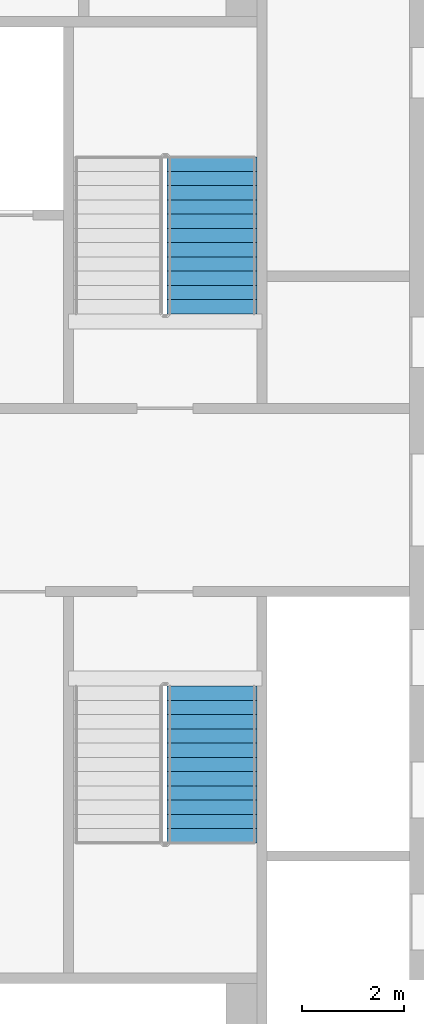
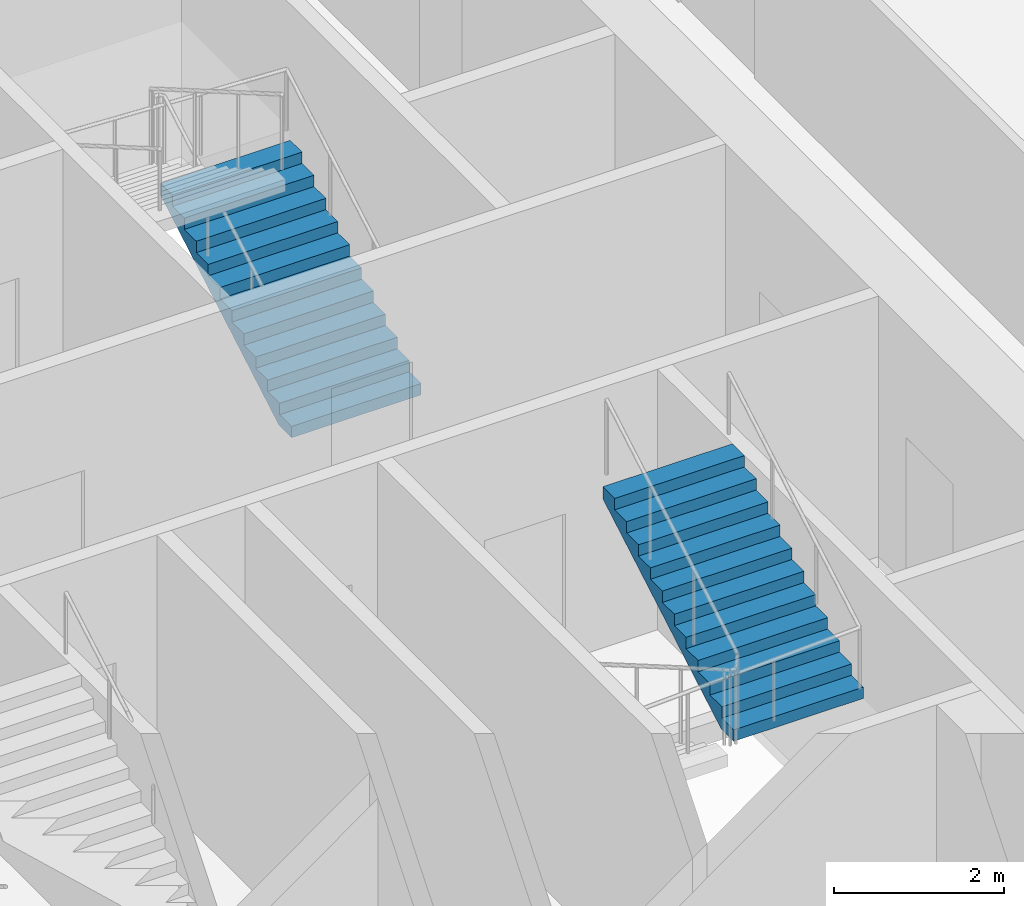
# One storey, part 17 of 22: 2 stair flights, 2 elements without a shape of their own.
"""IFC4 building model written with IfcOpenShell, lengths in metres."""

from ifc_helpers import new_model, si_unit, direction, frame, origin, place, context, subcontext, project, spatial, faceted_brep, material, type_object, element, aggregate, save


model = new_model("IFC4")

# Units and contexts
model_context = context("Model", 3, precision=1e-05, world=origin(), true_north=direction((0.0, 1.0)))
body_context = subcontext(model_context, "Body", "Model", "MODEL_VIEW")
ifc_project = project(units=[si_unit("LENGTHUNIT", "METRE"), si_unit("AREAUNIT", "SQUARE_METRE"), si_unit("VOLUMEUNIT", "CUBIC_METRE"), si_unit("PLANEANGLEUNIT", "RADIAN"), si_unit("MASSUNIT", "GRAM", prefix="KILO")], contexts=[model_context])

# Site, building, storey
site_placement = place(None, origin())
site = spatial("IfcSite", under=ifc_project, at=site_placement, CompositionType="ELEMENT")
building_placement = place(site_placement, origin())
building = spatial("IfcBuilding", under=site, at=building_placement, Name="Tarsis Ring Headquarters", CompositionType="ELEMENT")
storey_placement = place(building_placement, frame((0.0, 0.0, 147.60009765625)))
storey = spatial("IfcBuildingStorey", under=building, at=storey_placement, Name="L33", CompositionType="ELEMENT", Elevation=147.60009765625)

# Stair, stair flight
ifc_material_1 = material(Name="Core stair 1760")
stair_type = type_object("IfcStairType", Name="Core stair 1760", PredefinedType="HALF_TURN_STAIR", material=ifc_material_1)
stair_1_placement = place(storey_placement, origin())
stair_1 = element("IfcStair", 1, at=stair_1_placement, inside=storey, type_object=stair_type, Name="L33 Exit stair B", PredefinedType="HALF_TURN_STAIR")
ifc_material_2 = material(Name="Concrete C40/50", Category="concrete")
stair_flight_type = type_object("IfcStairFlightType", Name="Core stair flight 1760", PredefinedType="STRAIGHT", material=ifc_material_2)
stair_flight_1_placement = place(storey_placement, frame((5.419921875, 3.659912109375, 0.0), z_axis=(0.0, 0.0, 1.0), x_axis=(0.0, 1.0, 0.0)))
stair_flight_1 = element("IfcStairFlight", 2, at=stair_flight_1_placement, type_object=stair_flight_type, Name="Stair ST2 flight 1", NumberOfRisers=12, NumberOfTreads=11, PredefinedType="STRAIGHT", RiserHeight=0.1625, TreadLength=0.28, context=body_context, shape_type="Brep", body=[
    faceted_brep([(0.0, 0.8798828125, 0.0), (0.0, 0.8798828125, 0.16259765625), (0.280029296875, 0.8798828125, 0.16259765625), (0.280029296875, 0.8798828125, 0.324951171875), (0.56005859375, 0.8798828125, 0.324951171875), (0.56005859375, 0.8798828125, 0.487548828125), (0.840087890625, 0.8798828125, 0.487548828125), (0.840087890625, 0.8798828125, 0.64990234375), (1.1201171875, 0.8798828125, 0.64990234375), (1.1201171875, 0.8798828125, 0.8125), (1.39990234375, 0.8798828125, 0.8125), (1.39990234375, 0.8798828125, 0.97509765625), (1.679931640625, 0.8798828125, 0.97509765625), (1.679931640625, 0.8798828125, 1.137451171875), (1.9599609375, 0.8798828125, 1.137451171875), (1.9599609375, 0.8798828125, 1.300048828125), (2.239990234375, 0.8798828125, 1.300048828125), (2.239990234375, 0.8798828125, 1.46240234375), (2.52001953125, 0.8798828125, 1.46240234375), (2.52001953125, 0.8798828125, 1.625), (2.800048828125, 0.8798828125, 1.625), (2.800048828125, 0.8798828125, 1.78759765625), (3.080078125, 0.8798828125, 1.78759765625), (3.080078125, 0.8798828125, 1.6142578125), (0.298583984375, 0.8798828125, 0.0), (0.298583984375, -0.8798828125, 0.0), (3.080078125, -0.8798828125, 1.6142578125), (3.080078125, -0.8798828125, 1.78759765625), (2.800048828125, -0.8798828125, 1.78759765625), (2.800048828125, -0.8798828125, 1.625), (2.52001953125, -0.8798828125, 1.625), (2.52001953125, -0.8798828125, 1.46240234375), (2.239990234375, -0.8798828125, 1.46240234375), (2.239990234375, -0.8798828125, 1.300048828125), (1.9599609375, -0.8798828125, 1.300048828125), (1.9599609375, -0.8798828125, 1.137451171875), (1.679931640625, -0.8798828125, 1.137451171875), (1.679931640625, -0.8798828125, 0.97509765625), (1.39990234375, -0.8798828125, 0.97509765625), (1.39990234375, -0.8798828125, 0.8125), (1.1201171875, -0.8798828125, 0.8125), (1.1201171875, -0.8798828125, 0.64990234375), (0.840087890625, -0.8798828125, 0.64990234375), (0.840087890625, -0.8798828125, 0.487548828125), (0.56005859375, -0.8798828125, 0.487548828125), (0.56005859375, -0.8798828125, 0.324951171875), (0.280029296875, -0.8798828125, 0.324951171875), (0.280029296875, -0.8798828125, 0.16259765625), (0.0, -0.8798828125, 0.16259765625), (0.0, -0.8798828125, 0.0), (0.0, -0.43994140625, 0.16259765625), (0.0, -0.43994140625, 0.0), (0.0, 0.0, 0.16259765625), (0.0, 0.0, 0.0), (0.0, 0.43994140625, 0.16259765625), (0.0, 0.43994140625, 0.0), (0.280029296875, -0.43994140625, 0.16259765625), (0.280029296875, 0.0, 0.16259765625), (0.280029296875, 0.43994140625, 0.16259765625), (0.280029296875, -0.43994140625, 0.324951171875), (0.280029296875, 0.0, 0.324951171875), (0.280029296875, 0.43994140625, 0.324951171875), (0.56005859375, -0.43994140625, 0.324951171875), (0.56005859375, 0.0, 0.324951171875), (0.56005859375, 0.43994140625, 0.324951171875), (0.56005859375, -0.43994140625, 0.487548828125), (0.56005859375, 0.0, 0.487548828125), (0.56005859375, 0.43994140625, 0.487548828125), (0.840087890625, -0.43994140625, 0.487548828125), (0.840087890625, 0.0, 0.487548828125), (0.840087890625, 0.43994140625, 0.487548828125), (0.840087890625, -0.43994140625, 0.64990234375), (0.840087890625, 0.0, 0.64990234375), (0.840087890625, 0.43994140625, 0.64990234375), (1.1201171875, -0.43994140625, 0.64990234375), (1.1201171875, 0.0, 0.64990234375), (1.1201171875, 0.43994140625, 0.64990234375), (1.1201171875, -0.43994140625, 0.8125), (1.1201171875, 0.0, 0.8125), (1.1201171875, 0.43994140625, 0.8125), (1.39990234375, -0.43994140625, 0.8125), (1.39990234375, 0.0, 0.8125), (1.39990234375, 0.43994140625, 0.8125), (1.39990234375, -0.43994140625, 0.97509765625), (1.39990234375, 0.0, 0.97509765625), (1.39990234375, 0.43994140625, 0.97509765625), (1.679931640625, -0.43994140625, 0.97509765625), (1.679931640625, 0.0, 0.97509765625), (1.679931640625, 0.43994140625, 0.97509765625), (1.679931640625, -0.43994140625, 1.137451171875), (1.679931640625, 0.0, 1.137451171875), (1.679931640625, 0.43994140625, 1.137451171875), (1.9599609375, -0.43994140625, 1.137451171875), (1.9599609375, 0.0, 1.137451171875), (1.9599609375, 0.43994140625, 1.137451171875), (1.9599609375, -0.43994140625, 1.300048828125), (1.9599609375, 0.0, 1.300048828125), (1.9599609375, 0.43994140625, 1.300048828125), (2.239990234375, -0.43994140625, 1.300048828125), (2.239990234375, 0.0, 1.300048828125), (2.239990234375, 0.43994140625, 1.300048828125), (2.239990234375, -0.43994140625, 1.46240234375), (2.239990234375, 0.0, 1.46240234375), (2.239990234375, 0.43994140625, 1.46240234375), (2.52001953125, -0.43994140625, 1.46240234375), (2.52001953125, 0.0, 1.46240234375), (2.52001953125, 0.43994140625, 1.46240234375), (2.52001953125, -0.43994140625, 1.625), (2.52001953125, 0.0, 1.625), (2.52001953125, 0.43994140625, 1.625), (2.800048828125, -0.43994140625, 1.625), (2.800048828125, 0.0, 1.625), (2.800048828125, 0.43994140625, 1.625), (2.800048828125, -0.43994140625, 1.78759765625), (2.800048828125, 0.0, 1.78759765625), (2.800048828125, 0.43994140625, 1.78759765625), (3.080078125, -0.43994140625, 1.78759765625), (3.080078125, 0.0, 1.78759765625), (3.080078125, 0.43994140625, 1.78759765625), (3.080078125, -0.43994140625, 1.6142578125), (3.080078125, 0.0, 1.6142578125), (3.080078125, 0.43994140625, 1.6142578125), (0.298583984375, -0.43994140625, 0.0), (0.298583984375, 0.0, 0.0), (0.298583984375, 0.43994140625, 0.0)], [[[0, 1, 2, 3, 4, 5, 6, 7, 8, 9, 10, 11, 12, 13, 14, 15, 16, 17, 18, 19, 20, 21, 22, 23, 24]], [[25, 26, 27, 28, 29, 30, 31, 32, 33, 34, 35, 36, 37, 38, 39, 40, 41, 42, 43, 44, 45, 46, 47, 48, 49]], [[49, 48, 50, 51]], [[51, 50, 52, 53]], [[53, 52, 54, 55]], [[55, 54, 1, 0]], [[48, 47, 56, 50]], [[50, 56, 57, 52]], [[52, 57, 58, 54]], [[54, 58, 2, 1]], [[47, 46, 59, 56]], [[56, 59, 60, 57]], [[57, 60, 61, 58]], [[58, 61, 3, 2]], [[46, 45, 62, 59]], [[59, 62, 63, 60]], [[60, 63, 64, 61]], [[61, 64, 4, 3]], [[45, 44, 65, 62]], [[62, 65, 66, 63]], [[63, 66, 67, 64]], [[64, 67, 5, 4]], [[44, 43, 68, 65]], [[65, 68, 69, 66]], [[66, 69, 70, 67]], [[67, 70, 6, 5]], [[43, 42, 71, 68]], [[68, 71, 72, 69]], [[69, 72, 73, 70]], [[70, 73, 7, 6]], [[42, 41, 74, 71]], [[71, 74, 75, 72]], [[72, 75, 76, 73]], [[73, 76, 8, 7]], [[41, 40, 77, 74]], [[74, 77, 78, 75]], [[75, 78, 79, 76]], [[76, 79, 9, 8]], [[40, 39, 80, 77]], [[77, 80, 81, 78]], [[78, 81, 82, 79]], [[79, 82, 10, 9]], [[39, 38, 83, 80]], [[80, 83, 84, 81]], [[81, 84, 85, 82]], [[82, 85, 11, 10]], [[38, 37, 86, 83]], [[83, 86, 87, 84]], [[84, 87, 88, 85]], [[85, 88, 12, 11]], [[37, 36, 89, 86]], [[86, 89, 90, 87]], [[87, 90, 91, 88]], [[88, 91, 13, 12]], [[36, 35, 92, 89]], [[89, 92, 93, 90]], [[90, 93, 94, 91]], [[91, 94, 14, 13]], [[35, 34, 95, 92]], [[92, 95, 96, 93]], [[93, 96, 97, 94]], [[94, 97, 15, 14]], [[34, 33, 98, 95]], [[95, 98, 99, 96]], [[96, 99, 100, 97]], [[97, 100, 16, 15]], [[33, 32, 101, 98]], [[98, 101, 102, 99]], [[99, 102, 103, 100]], [[100, 103, 17, 16]], [[32, 31, 104, 101]], [[101, 104, 105, 102]], [[102, 105, 106, 103]], [[103, 106, 18, 17]], [[31, 30, 107, 104]], [[104, 107, 108, 105]], [[105, 108, 109, 106]], [[106, 109, 19, 18]], [[30, 29, 110, 107]], [[107, 110, 111, 108]], [[108, 111, 112, 109]], [[109, 112, 20, 19]], [[29, 28, 113, 110]], [[110, 113, 114, 111]], [[111, 114, 115, 112]], [[112, 115, 21, 20]], [[28, 27, 116, 113]], [[113, 116, 117, 114]], [[114, 117, 118, 115]], [[115, 118, 22, 21]], [[27, 26, 119, 116]], [[116, 119, 120, 117]], [[117, 120, 121, 118]], [[118, 121, 23, 22]], [[26, 25, 122, 119]], [[119, 122, 123, 120]], [[120, 123, 124, 121]], [[121, 124, 24, 23]], [[25, 49, 51, 122]], [[122, 51, 53, 123]], [[123, 53, 55, 124]], [[124, 55, 0, 24]]]),
])
aggregate(stair_1, [stair_flight_1])

stair_2_placement = place(storey_placement, origin())
stair_2 = element("IfcStair", 3, at=stair_2_placement, inside=storey, type_object=stair_type, Name="L33 Exit stair D", PredefinedType="HALF_TURN_STAIR")
stair_flight_2_placement = place(storey_placement, frame((5.419921875, -6.739990234375, 1.949951171875), z_axis=(0.0, 0.0, 1.0), x_axis=(0.0, 1.0, 0.0)))
stair_flight_2 = element("IfcStairFlight", 4, at=stair_flight_2_placement, type_object=stair_flight_type, Name="Stair ST4 flight 2", NumberOfRisers=12, NumberOfTreads=11, PredefinedType="STRAIGHT", RiserHeight=0.1625, TreadLength=0.28, context=body_context, shape_type="Brep", body=[
    faceted_brep([(0.0, 0.8798828125, 0.0), (0.0, 0.8798828125, 0.16259765625), (0.280029296875, 0.8798828125, 0.16259765625), (0.280029296875, 0.8798828125, 0.324951171875), (0.56005859375, 0.8798828125, 0.324951171875), (0.56005859375, 0.8798828125, 0.487548828125), (0.840087890625, 0.8798828125, 0.487548828125), (0.840087890625, 0.8798828125, 0.64990234375), (1.1201171875, 0.8798828125, 0.64990234375), (1.1201171875, 0.8798828125, 0.8125), (1.39990234375, 0.8798828125, 0.8125), (1.39990234375, 0.8798828125, 0.97509765625), (1.679931640625, 0.8798828125, 0.97509765625), (1.679931640625, 0.8798828125, 1.137451171875), (1.9599609375, 0.8798828125, 1.137451171875), (1.9599609375, 0.8798828125, 1.300048828125), (2.239990234375, 0.8798828125, 1.300048828125), (2.239990234375, 0.8798828125, 1.46240234375), (2.52001953125, 0.8798828125, 1.46240234375), (2.52001953125, 0.8798828125, 1.625), (2.800048828125, 0.8798828125, 1.625), (2.800048828125, 0.8798828125, 1.78759765625), (3.080078125, 0.8798828125, 1.78759765625), (3.080078125, 0.8798828125, 1.6142578125), (0.298583984375, 0.8798828125, 0.0), (0.298583984375, -0.8798828125, 0.0), (3.080078125, -0.8798828125, 1.6142578125), (3.080078125, -0.8798828125, 1.78759765625), (2.800048828125, -0.8798828125, 1.78759765625), (2.800048828125, -0.8798828125, 1.625), (2.52001953125, -0.8798828125, 1.625), (2.52001953125, -0.8798828125, 1.46240234375), (2.239990234375, -0.8798828125, 1.46240234375), (2.239990234375, -0.8798828125, 1.300048828125), (1.9599609375, -0.8798828125, 1.300048828125), (1.9599609375, -0.8798828125, 1.137451171875), (1.679931640625, -0.8798828125, 1.137451171875), (1.679931640625, -0.8798828125, 0.97509765625), (1.39990234375, -0.8798828125, 0.97509765625), (1.39990234375, -0.8798828125, 0.8125), (1.1201171875, -0.8798828125, 0.8125), (1.1201171875, -0.8798828125, 0.64990234375), (0.840087890625, -0.8798828125, 0.64990234375), (0.840087890625, -0.8798828125, 0.487548828125), (0.56005859375, -0.8798828125, 0.487548828125), (0.56005859375, -0.8798828125, 0.324951171875), (0.280029296875, -0.8798828125, 0.324951171875), (0.280029296875, -0.8798828125, 0.16259765625), (0.0, -0.8798828125, 0.16259765625), (0.0, -0.8798828125, 0.0), (0.0, -0.43994140625, 0.16259765625), (0.0, -0.43994140625, 0.0), (0.0, 0.0, 0.16259765625), (0.0, 0.0, 0.0), (0.0, 0.43994140625, 0.16259765625), (0.0, 0.43994140625, 0.0), (0.280029296875, -0.43994140625, 0.16259765625), (0.280029296875, 0.0, 0.16259765625), (0.280029296875, 0.43994140625, 0.16259765625), (0.280029296875, -0.43994140625, 0.324951171875), (0.280029296875, 0.0, 0.324951171875), (0.280029296875, 0.43994140625, 0.324951171875), (0.56005859375, -0.43994140625, 0.324951171875), (0.56005859375, 0.0, 0.324951171875), (0.56005859375, 0.43994140625, 0.324951171875), (0.56005859375, -0.43994140625, 0.487548828125), (0.56005859375, 0.0, 0.487548828125), (0.56005859375, 0.43994140625, 0.487548828125), (0.840087890625, -0.43994140625, 0.487548828125), (0.840087890625, 0.0, 0.487548828125), (0.840087890625, 0.43994140625, 0.487548828125), (0.840087890625, -0.43994140625, 0.64990234375), (0.840087890625, 0.0, 0.64990234375), (0.840087890625, 0.43994140625, 0.64990234375), (1.1201171875, -0.43994140625, 0.64990234375), (1.1201171875, 0.0, 0.64990234375), (1.1201171875, 0.43994140625, 0.64990234375), (1.1201171875, -0.43994140625, 0.8125), (1.1201171875, 0.0, 0.8125), (1.1201171875, 0.43994140625, 0.8125), (1.39990234375, -0.43994140625, 0.8125), (1.39990234375, 0.0, 0.8125), (1.39990234375, 0.43994140625, 0.8125), (1.39990234375, -0.43994140625, 0.97509765625), (1.39990234375, 0.0, 0.97509765625), (1.39990234375, 0.43994140625, 0.97509765625), (1.679931640625, -0.43994140625, 0.97509765625), (1.679931640625, 0.0, 0.97509765625), (1.679931640625, 0.43994140625, 0.97509765625), (1.679931640625, -0.43994140625, 1.137451171875), (1.679931640625, 0.0, 1.137451171875), (1.679931640625, 0.43994140625, 1.137451171875), (1.9599609375, -0.43994140625, 1.137451171875), (1.9599609375, 0.0, 1.137451171875), (1.9599609375, 0.43994140625, 1.137451171875), (1.9599609375, -0.43994140625, 1.300048828125), (1.9599609375, 0.0, 1.300048828125), (1.9599609375, 0.43994140625, 1.300048828125), (2.239990234375, -0.43994140625, 1.300048828125), (2.239990234375, 0.0, 1.300048828125), (2.239990234375, 0.43994140625, 1.300048828125), (2.239990234375, -0.43994140625, 1.46240234375), (2.239990234375, 0.0, 1.46240234375), (2.239990234375, 0.43994140625, 1.46240234375), (2.52001953125, -0.43994140625, 1.46240234375), (2.52001953125, 0.0, 1.46240234375), (2.52001953125, 0.43994140625, 1.46240234375), (2.52001953125, -0.43994140625, 1.625), (2.52001953125, 0.0, 1.625), (2.52001953125, 0.43994140625, 1.625), (2.800048828125, -0.43994140625, 1.625), (2.800048828125, 0.0, 1.625), (2.800048828125, 0.43994140625, 1.625), (2.800048828125, -0.43994140625, 1.78759765625), (2.800048828125, 0.0, 1.78759765625), (2.800048828125, 0.43994140625, 1.78759765625), (3.080078125, -0.43994140625, 1.78759765625), (3.080078125, 0.0, 1.78759765625), (3.080078125, 0.43994140625, 1.78759765625), (3.080078125, -0.43994140625, 1.6142578125), (3.080078125, 0.0, 1.6142578125), (3.080078125, 0.43994140625, 1.6142578125), (0.298583984375, -0.43994140625, 0.0), (0.298583984375, 0.0, 0.0), (0.298583984375, 0.43994140625, 0.0)], [[[0, 1, 2, 3, 4, 5, 6, 7, 8, 9, 10, 11, 12, 13, 14, 15, 16, 17, 18, 19, 20, 21, 22, 23, 24]], [[25, 26, 27, 28, 29, 30, 31, 32, 33, 34, 35, 36, 37, 38, 39, 40, 41, 42, 43, 44, 45, 46, 47, 48, 49]], [[49, 48, 50, 51]], [[51, 50, 52, 53]], [[53, 52, 54, 55]], [[55, 54, 1, 0]], [[48, 47, 56, 50]], [[50, 56, 57, 52]], [[52, 57, 58, 54]], [[54, 58, 2, 1]], [[47, 46, 59, 56]], [[56, 59, 60, 57]], [[57, 60, 61, 58]], [[58, 61, 3, 2]], [[46, 45, 62, 59]], [[59, 62, 63, 60]], [[60, 63, 64, 61]], [[61, 64, 4, 3]], [[45, 44, 65, 62]], [[62, 65, 66, 63]], [[63, 66, 67, 64]], [[64, 67, 5, 4]], [[44, 43, 68, 65]], [[65, 68, 69, 66]], [[66, 69, 70, 67]], [[67, 70, 6, 5]], [[43, 42, 71, 68]], [[68, 71, 72, 69]], [[69, 72, 73, 70]], [[70, 73, 7, 6]], [[42, 41, 74, 71]], [[71, 74, 75, 72]], [[72, 75, 76, 73]], [[73, 76, 8, 7]], [[41, 40, 77, 74]], [[74, 77, 78, 75]], [[75, 78, 79, 76]], [[76, 79, 9, 8]], [[40, 39, 80, 77]], [[77, 80, 81, 78]], [[78, 81, 82, 79]], [[79, 82, 10, 9]], [[39, 38, 83, 80]], [[80, 83, 84, 81]], [[81, 84, 85, 82]], [[82, 85, 11, 10]], [[38, 37, 86, 83]], [[83, 86, 87, 84]], [[84, 87, 88, 85]], [[85, 88, 12, 11]], [[37, 36, 89, 86]], [[86, 89, 90, 87]], [[87, 90, 91, 88]], [[88, 91, 13, 12]], [[36, 35, 92, 89]], [[89, 92, 93, 90]], [[90, 93, 94, 91]], [[91, 94, 14, 13]], [[35, 34, 95, 92]], [[92, 95, 96, 93]], [[93, 96, 97, 94]], [[94, 97, 15, 14]], [[34, 33, 98, 95]], [[95, 98, 99, 96]], [[96, 99, 100, 97]], [[97, 100, 16, 15]], [[33, 32, 101, 98]], [[98, 101, 102, 99]], [[99, 102, 103, 100]], [[100, 103, 17, 16]], [[32, 31, 104, 101]], [[101, 104, 105, 102]], [[102, 105, 106, 103]], [[103, 106, 18, 17]], [[31, 30, 107, 104]], [[104, 107, 108, 105]], [[105, 108, 109, 106]], [[106, 109, 19, 18]], [[30, 29, 110, 107]], [[107, 110, 111, 108]], [[108, 111, 112, 109]], [[109, 112, 20, 19]], [[29, 28, 113, 110]], [[110, 113, 114, 111]], [[111, 114, 115, 112]], [[112, 115, 21, 20]], [[28, 27, 116, 113]], [[113, 116, 117, 114]], [[114, 117, 118, 115]], [[115, 118, 22, 21]], [[27, 26, 119, 116]], [[116, 119, 120, 117]], [[117, 120, 121, 118]], [[118, 121, 23, 22]], [[26, 25, 122, 119]], [[119, 122, 123, 120]], [[120, 123, 124, 121]], [[121, 124, 24, 23]], [[25, 49, 51, 122]], [[122, 51, 53, 123]], [[123, 53, 55, 124]], [[124, 55, 0, 24]]]),
])
aggregate(stair_2, [stair_flight_2])

save(model, "model.ifc")
